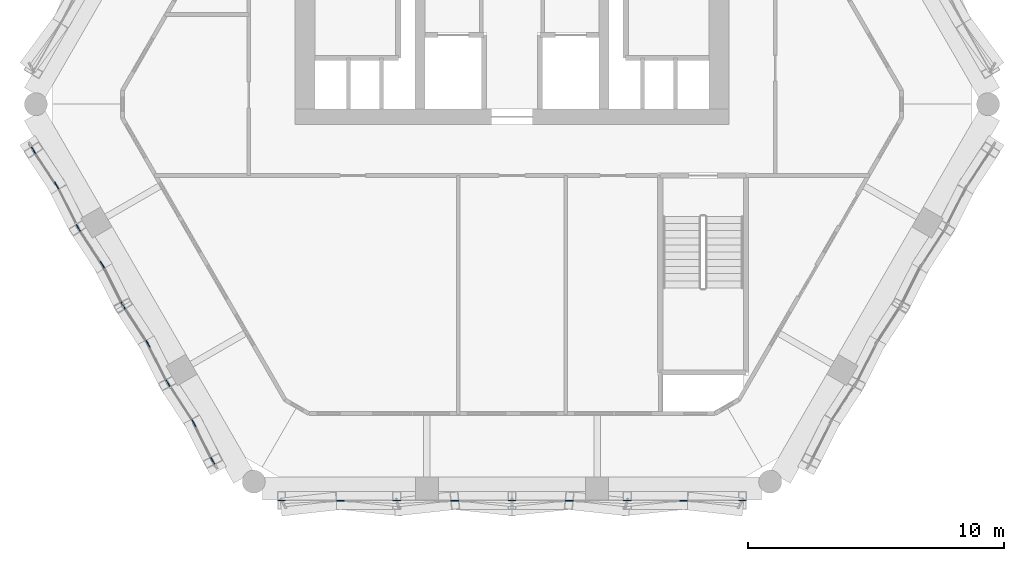
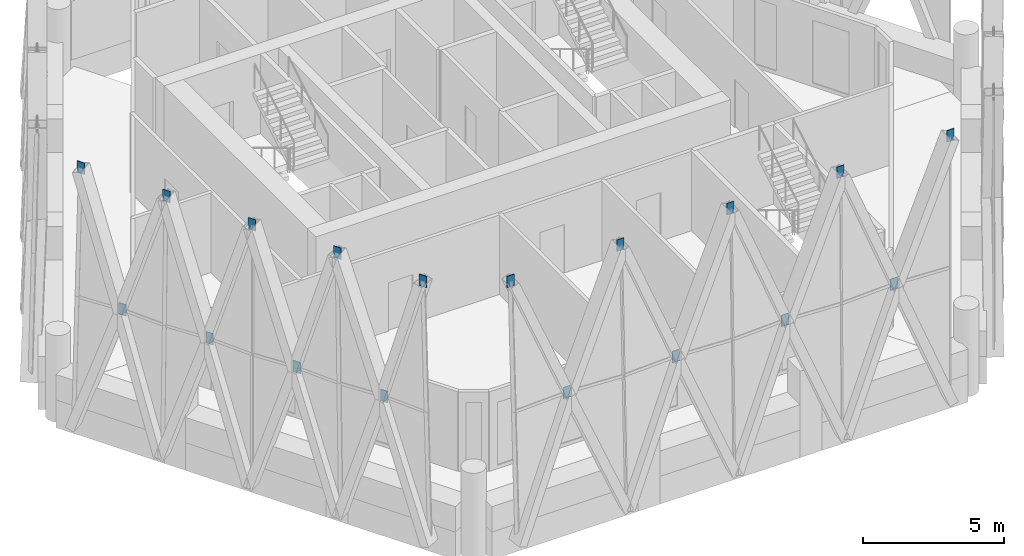
# One storey, part 16 of 21: 18 discrete accessories.
"""IFC4 building model written with IfcOpenShell, lengths in metres."""

from ifc_helpers import new_model, si_unit, direction, frame, origin, origin_2d, place, context, subcontext, project, spatial, rectangle, extrude, material, layer, layer_set, type_object, element, save


model = new_model("IFC4")

# Units and contexts
model_context = context("Model", 3, precision=1e-05, world=origin(), true_north=direction((0.0, 1.0)))
body_context = subcontext(model_context, "Body", "Model", "MODEL_VIEW")
ifc_project = project(units=[si_unit("LENGTHUNIT", "METRE"), si_unit("AREAUNIT", "SQUARE_METRE"), si_unit("VOLUMEUNIT", "CUBIC_METRE"), si_unit("PLANEANGLEUNIT", "RADIAN"), si_unit("MASSUNIT", "GRAM", prefix="KILO")], contexts=[model_context])

# Site, building, storey
site_placement = place(None, origin())
site = spatial("IfcSite", under=ifc_project, at=site_placement, CompositionType="ELEMENT")
building_placement = place(site_placement, origin())
building = spatial("IfcBuilding", under=site, at=building_placement, Name="Ostrander Bayou Hotel Tower", CompositionType="ELEMENT")
storey_placement = place(building_placement, frame((0.0, 0.0, 256.25)))
storey = spatial("IfcBuildingStorey", under=building, at=storey_placement, Name="L63", CompositionType="ELEMENT", Elevation=256.25)

# Discrete accessories
ifc_material = material(Name="Steel ASTM A572 Gr 50", Category="steel")
ifc_layer = layer(ifc_material, 0.030029296875)
ifc_layer_set = layer_set([ifc_layer], Name="GP1 gusset plate 30 mm")
discrete_accessory_type = type_object("IfcDiscreteAccessoryType", Name="GP1 gusset plate 30 mm", PredefinedType="BRACKET", material=ifc_layer_set)
for number, where, z_axis, x_axis, name in (
    (1, (-17.81787109375, -4.08740234375, 4.77490234375), (0.0, 0.0, 1.0), (0.5, -0.866025403784, 0.0), "GP1 gusset plate lat 470"),
    (2, (-18.724609375, -2.7080078125, 10.39990234375), (0.0, 0.0, 1.0), (0.5, -0.866025403784, 0.0), "GP1 gusset plate lat 471"),
    (3, (-16.970458984375, -5.74658203125, 10.39990234375), (0.0, 0.0, 1.0), (0.5, -0.866025403784, 0.0), "GP1 gusset plate lat 472"),
    (4, (-16.028076171875, -7.187255859375, 4.77490234375), (0.0, 0.0, 1.0), (0.5, -0.866025403784, 0.0), "GP1 gusset plate lat 473"),
    (5, (-15.216064453125, -8.784912109375, 10.39990234375), (0.0, 0.0, 1.0), (0.5, -0.866025403784, 0.0), "GP1 gusset plate lat 474"),
    (6, (-14.23828125, -10.287109375, 4.77490234375), (0.0, 0.0, 1.0), (0.5, -0.866025403784, 0.0), "GP1 gusset plate lat 475"),
    (7, (-13.4619140625, -11.823486328125, 10.39990234375), (0.0, 0.0, 1.0), (0.5, -0.866025403784, 0.0), "GP1 gusset plate lat 476"),
    (8, (-12.44873046875, -13.386962890625, 4.77490234375), (0.0, 0.0, 1.0), (0.5, -0.866025403784, 0.0), "GP1 gusset plate lat 477"),
    (9, (-11.70751953125, -14.862060546875, 10.39990234375), (0.0, 0.0, 1.0), (0.5, -0.866025403784, 0.0), "GP1 gusset plate lat 478"),
    (10, (-6.7119140625, -16.419921875, 4.77490234375), (0.0, 0.0, 1.0), (1.0, 0.0, 0.0), "GP1 gusset plate lat 479"),
    (11, (-9.020263671875, -16.41357421875, 10.39990234375), (0.0, 0.0, 1.0), (1.0, 0.0, 0.0), "GP1 gusset plate lat 480"),
    (12, (-4.510009765625, -16.41357421875, 10.39990234375), (0.0, 0.0, 1.0), (1.0, 0.0, 0.0), "GP1 gusset plate lat 481"),
    (13, (-2.2373046875, -16.419921875, 4.77490234375), (0.0, 0.0, 1.0), (1.0, 0.0, 0.0), "GP1 gusset plate lat 482"),
    (14, (0.0, -16.41357421875, 10.39990234375), (0.0, 0.0, 1.0), (1.0, 0.0, 0.0), "GP1 gusset plate lat 483"),
    (15, (2.2373046875, -16.419921875, 4.77490234375), (0.0, 0.0, 1.0), (1.0, 0.0, 0.0), "GP1 gusset plate lat 484"),
    (16, (4.510009765625, -16.41357421875, 10.39990234375), (0.0, 0.0, 1.0), (1.0, 0.0, 0.0), "GP1 gusset plate lat 485"),
    (17, (6.7119140625, -16.419921875, 4.77490234375), (0.0, 0.0, 1.0), (1.0, 0.0, 0.0), "GP1 gusset plate lat 486"),
    (18, (9.020263671875, -16.41357421875, 10.39990234375), (0.0, 0.0, 1.0), (1.0, 0.0, 0.0), "GP1 gusset plate lat 487"),
):
    element("IfcDiscreteAccessory", number, at=place(storey_placement, frame(where, z_axis=z_axis, x_axis=x_axis)), inside=storey, type_object=discrete_accessory_type, Name=name, PredefinedType="BRACKET", context=body_context, shape_type="SweptSolid", body=[
        extrude(rectangle(XDim=0.300048828125, YDim=0.030029296875, at=origin_2d()), origin(), (0.0, 0.0, 1.0), 0.5),
    ])

save(model, "model.ifc")
